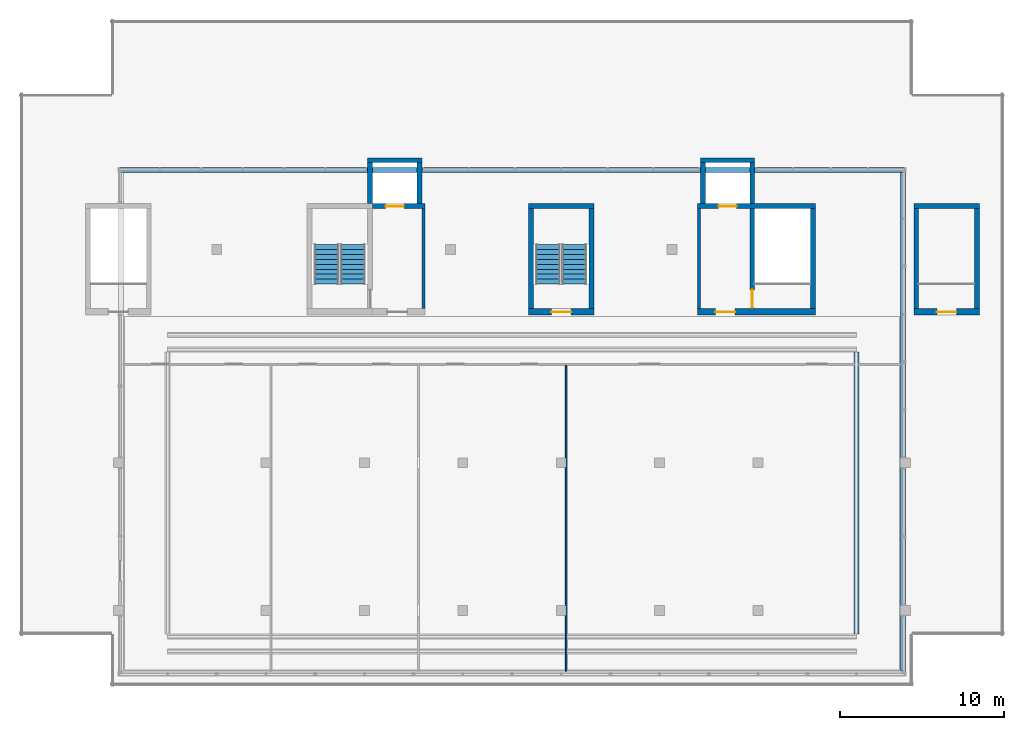
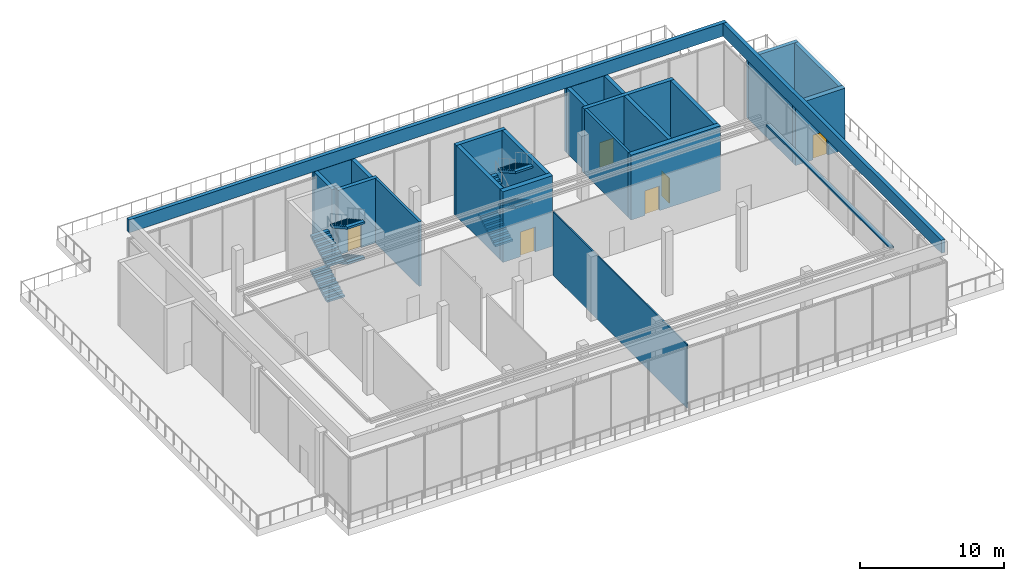
# One storey, part 8 of 11: 25 walls, 8 stair flights, 6 doors, 6 openings, 2 elements without a shape of their own.
"""IFC4 building model written with IfcOpenShell, lengths in metres."""

from ifc_helpers import new_model, si_unit, direction, frame, frame_2d, origin, place, context, subcontext, project, spatial, polyline, rectangle, outline, extrude, material, layer, layer_set, type_object, element, fill, aggregate, save


model = new_model("IFC4")

# Units and contexts
model_context = context("Model", 3, precision=1e-05, world=origin(), true_north=direction((0.0, 1.0)))
body_context = subcontext(model_context, "Body", "Model", "MODEL_VIEW")
ifc_project = project(units=[si_unit("LENGTHUNIT", "METRE"), si_unit("AREAUNIT", "SQUARE_METRE"), si_unit("VOLUMEUNIT", "CUBIC_METRE"), si_unit("PLANEANGLEUNIT", "RADIAN"), si_unit("MASSUNIT", "GRAM", prefix="KILO")], contexts=[model_context])

# Site, building, storey
site_placement = place(None, origin())
site = spatial("IfcSite", under=ifc_project, at=site_placement, CompositionType="ELEMENT")
building_placement = place(site_placement, origin())
building = spatial("IfcBuilding", under=site, at=building_placement, Name="Calvaro Tower", CompositionType="ELEMENT")
storey_placement = place(building_placement, frame((0.0, 0.0, 271.949951171875)))
storey = spatial("IfcBuildingStorey", under=building, at=storey_placement, Name="L68", CompositionType="ELEMENT", Elevation=271.949951171875)

# Walls
ifc_material_1 = material(Name="Concrete C40/50", Category="concrete")
ifc_layer_1 = layer(ifc_material_1, 0.300048828125)
ifc_layer_set_1 = layer_set([ifc_layer_1], Name="Concrete C40/50")
wall_type_1 = type_object("IfcWallType", Name="BMU rail plinth 300", PredefinedType="SOLIDWALL", material=ifc_layer_set_1)
wall_1_placement = place(storey_placement, frame((57.0, 8.550048828125, 6.0), z_axis=(0.0, 0.0, 1.0), x_axis=(0.0, 1.0, 0.0)))
element("IfcWall", 1, at=wall_1_placement, inside=storey, type_object=wall_type_1, Name="BMU rail plinth", PredefinedType="SOLIDWALL", context=body_context, shape_type="SweptSolid", body=[
    extrude(rectangle(XDim=17.199951171875, YDim=0.300048828125, at=frame_2d((8.60009765625, 0.0))), origin(), (0.0, 0.0, 1.0), 0.150146484375),
])
ifc_material_2 = material(Name="Blockwork partition", Category="masonry")
ifc_layer_2 = layer(ifc_material_2, 0.199951171875)
ifc_layer_set_2 = layer_set([ifc_layer_2], Name="Blockwork partition")
wall_type_2 = type_object("IfcWallType", Name="Core partition 200 REI 120", PredefinedType="PARTITIONING", material=ifc_layer_set_2)
for number, where, z_axis, x_axis, name in (
    (2, (30.60009765625, 28.39990234375, 0.0), (0.0, 0.0, 1.0), (0.0, 1.0, 0.0), "Core partition"),
    (3, (47.39990234375, 28.39990234375, 0.0), (0.0, 0.0, 1.0), (0.0, 1.0, 0.0), "Core partition"),
):
    element("IfcWall", number, at=place(storey_placement, frame(where, z_axis=z_axis, x_axis=x_axis)), inside=storey, type_object=wall_type_2, Name=name, PredefinedType="PARTITIONING", context=body_context, shape_type="SweptSolid", body=[
        extrude(rectangle(XDim=6.10009765625, YDim=0.199951171875, at=frame_2d((3.050048828125, 0.0))), origin(), (0.0, 0.0, 1.0), 5.5),
    ])

# Wall, opening, door
ifc_material_3 = material(Name="Concrete C40/50", Category="concrete")
ifc_layer_3 = layer(ifc_material_3, 0.300048828125)
ifc_layer_set_3 = layer_set([ifc_layer_3], Name="Concrete C40/50")
wall_type_3 = type_object("IfcWallType", Name="Core wall C40/50 300", PredefinedType="SHEAR", material=ifc_layer_set_3)
wall_2_placement = place(storey_placement, frame((27.5, 34.64990234375, 0.0), z_axis=(0.0, 0.0, 1.0), x_axis=(1.0, 0.0, 0.0)))
wall_2 = element("IfcWall", 4, at=wall_2_placement, inside=storey, type_object=wall_type_3, Name="Core wall, stair enclosure", PredefinedType="SHEAR", context=body_context, shape_type="SweptSolid", body=[
    extrude(rectangle(XDim=3.199951171875, YDim=0.300048828125, at=frame_2d((1.60009765625, 0.0))), origin(), (0.0, 0.0, 1.0), 5.5),
])
opening_1_placement = place(wall_2_placement, frame((0.800048828125, 0.0, 0.0)))
opening_1 = element("IfcOpeningElement", 5, at=opening_1_placement, cuts=wall_2, Name="Opening FF1", PredefinedType="OPENING", context=body_context, shape_type="SweptSolid", body=[
    extrude(rectangle(XDim=1.10009765625, YDim=2.10009765625, at=frame_2d((0.550048828125, 1.050048828125))), frame((0.0, 0.159912109375, 0.0), z_axis=(0.0, -1.0, 0.0), x_axis=(1.0, 0.0, 0.0)), (0.0, 0.0, 1.0), 0.320068359375),
])
ifc_material_4 = material(Name="Stainless steel", Category="steel")
door_type_1 = type_object("IfcDoorType", Name="Landing door 1100 E 60", OperationType="SLIDING_TO_LEFT", PredefinedType="DOOR", material=ifc_material_4)
door_1_placement = place(opening_1_placement, origin())
door_1 = element("IfcDoor", 6, at=door_1_placement, inside=storey, type_object=door_type_1, Name="Landing door FF1", OperationType="SLIDING_TO_LEFT", OverallHeight=2.10009765625, OverallWidth=1.10009765625, PredefinedType="DOOR", context=body_context, shape_type="SweptSolid", body=[
    extrude(rectangle(XDim=1.10009765625, YDim=2.10009765625, at=frame_2d((0.550048828125, 1.050048828125))), frame((0.0, 0.02490234375, 0.0), z_axis=(0.0, -1.0, 0.0), x_axis=(1.0, 0.0, 0.0)), (0.0, 0.0, 1.0), 0.050048828125),
])
fill(opening_1, door_1)

# Walls
for number, where, z_axis, x_axis, name in (
    (7, (37.14990234375, 28.39990234375, 0.0), (0.0, 0.0, 1.0), (0.0, 1.0, 0.0), "Core wall, stair enclosure"),
    (8, (40.85009765625, 28.39990234375, 0.0), (0.0, 0.0, 1.0), (0.0, 1.0, 0.0), "Core wall, stair enclosure"),
):
    element("IfcWall", number, at=place(storey_placement, frame(where, z_axis=z_axis, x_axis=x_axis)), inside=storey, type_object=wall_type_3, Name=name, PredefinedType="SHEAR", context=body_context, shape_type="SweptSolid", body=[
        extrude(rectangle(XDim=6.10009765625, YDim=0.300048828125, at=frame_2d((3.050048828125, 0.0))), origin(), (0.0, 0.0, 1.0), 6.0),
    ])
wall_3_placement = place(storey_placement, frame((37.0, 34.64990234375, 0.0), z_axis=(0.0, 0.0, 1.0), x_axis=(1.0, 0.0, 0.0)))
element("IfcWall", 9, at=wall_3_placement, inside=storey, type_object=wall_type_3, Name="Core wall, stair enclosure", PredefinedType="SHEAR", context=body_context, shape_type="SweptSolid", body=[
    extrude(rectangle(XDim=4.0, YDim=0.300048828125, at=frame_2d((2.0, 0.0))), origin(), (0.0, 0.0, 1.0), 6.0),
])

# Wall, opening, door
wall_4_placement = place(storey_placement, frame((50.64990234375, 34.5, 0.0), z_axis=(0.0, 0.0, 1.0), x_axis=(0.0, -1.0, 0.0)))
wall_4 = element("IfcWall", 10, at=wall_4_placement, inside=storey, type_object=wall_type_3, Name="Core wall, stair enclosure", PredefinedType="SHEAR", context=body_context, shape_type="SweptSolid", body=[
    extrude(rectangle(XDim=6.10009765625, YDim=0.300048828125, at=frame_2d((3.050048828125, 0.0))), origin(), (0.0, 0.0, 1.0), 5.5),
])
opening_2_placement = place(wall_4_placement, frame((4.949951171875, 0.0, 0.0)))
opening_2 = element("IfcOpeningElement", 11, at=opening_2_placement, cuts=wall_4, Name="Opening FD11D", PredefinedType="OPENING", context=body_context, shape_type="SweptSolid", body=[
    extrude(rectangle(XDim=1.10009765625, YDim=2.10009765625, at=frame_2d((0.550048828125, 1.050048828125))), frame((0.0, 0.159912109375, 0.0), z_axis=(0.0, -1.0, 0.0), x_axis=(1.0, 0.0, 0.0)), (0.0, 0.0, 1.0), 0.320068359375),
])
ifc_material_5 = material(Name="Steel door set", Category="steel")
door_type_2 = type_object("IfcDoorType", Name="Fire door 1100 FD30S", OperationType="SINGLE_SWING_LEFT", PredefinedType="DOOR", material=ifc_material_5)
door_2_placement = place(opening_2_placement, origin())
door_2 = element("IfcDoor", 12, at=door_2_placement, inside=storey, type_object=door_type_2, Name="Fire door", OperationType="SINGLE_SWING_RIGHT", OverallHeight=2.10009765625, OverallWidth=1.10009765625, PredefinedType="DOOR", context=body_context, shape_type="SweptSolid", body=[
    extrude(rectangle(XDim=1.10009765625, YDim=2.10009765625, at=frame_2d((0.550048828125, 1.050048828125))), frame((0.0, 0.02490234375, 0.0), z_axis=(0.0, -1.0, 0.0), x_axis=(1.0, 0.0, 0.0)), (0.0, 0.0, 1.0), 0.050048828125),
])
fill(opening_2, door_2)

# Wall
wall_5_placement = place(storey_placement, frame((54.35009765625, 28.39990234375, 0.0), z_axis=(0.0, 0.0, 1.0), x_axis=(0.0, 1.0, 0.0)))
element("IfcWall", 13, at=wall_5_placement, inside=storey, type_object=wall_type_3, Name="Core wall, stair enclosure", PredefinedType="SHEAR", context=body_context, shape_type="SweptSolid", body=[
    extrude(rectangle(XDim=6.10009765625, YDim=0.300048828125, at=frame_2d((3.050048828125, 0.0))), origin(), (0.0, 0.0, 1.0), 5.5),
])

# Wall, opening, door
wall_6_placement = place(storey_placement, frame((47.300048828125, 34.64990234375, 0.0), z_axis=(0.0, 0.0, 1.0), x_axis=(1.0, 0.0, 0.0)))
wall_6 = element("IfcWall", 14, at=wall_6_placement, inside=storey, type_object=wall_type_3, Name="Core wall, stair enclosure", PredefinedType="SHEAR", context=body_context, shape_type="SweptSolid", body=[
    extrude(rectangle(XDim=7.199951171875, YDim=0.300048828125, at=frame_2d((3.60009765625, 0.0))), origin(), (0.0, 0.0, 1.0), 5.5),
])
opening_3_placement = place(wall_6_placement, frame((1.300048828125, 0.0, 0.0)))
opening_3 = element("IfcOpeningElement", 15, at=opening_3_placement, cuts=wall_6, Name="Opening FF2", PredefinedType="OPENING", context=body_context, shape_type="SweptSolid", body=[
    extrude(rectangle(XDim=1.10009765625, YDim=2.10009765625, at=frame_2d((0.550048828125, 1.050048828125))), frame((0.0, 0.159912109375, 0.0), z_axis=(0.0, -1.0, 0.0), x_axis=(1.0, 0.0, 0.0)), (0.0, 0.0, 1.0), 0.320068359375),
])
door_3_placement = place(opening_3_placement, origin())
door_3 = element("IfcDoor", 16, at=door_3_placement, inside=storey, type_object=door_type_1, Name="Landing door FF2", OperationType="SLIDING_TO_LEFT", OverallHeight=2.10009765625, OverallWidth=1.10009765625, PredefinedType="DOOR", context=body_context, shape_type="SweptSolid", body=[
    extrude(rectangle(XDim=1.10009765625, YDim=2.10009765625, at=frame_2d((0.550048828125, 1.050048828125))), frame((0.0, 0.02490234375, 0.0), z_axis=(0.0, -1.0, 0.0), x_axis=(1.0, 0.0, 0.0)), (0.0, 0.0, 1.0), 0.050048828125),
])
fill(opening_3, door_3)

# Walls
for number, where, z_axis, x_axis, name in (
    (17, (60.64990234375, 28.39990234375, 0.0), (0.0, 0.0, 1.0), (0.0, 1.0, 0.0), "Core wall, stair enclosure"),
    (18, (64.35009765625, 28.39990234375, 0.0), (0.0, 0.0, 1.0), (0.0, 1.0, 0.0), "Core wall, stair enclosure"),
):
    element("IfcWall", number, at=place(storey_placement, frame(where, z_axis=z_axis, x_axis=x_axis)), inside=storey, type_object=wall_type_3, Name=name, PredefinedType="SHEAR", context=body_context, shape_type="SweptSolid", body=[
        extrude(rectangle(XDim=6.10009765625, YDim=0.300048828125, at=frame_2d((3.050048828125, 0.0))), origin(), (0.0, 0.0, 1.0), 5.199951171875),
    ])
wall_7_placement = place(storey_placement, frame((60.5, 34.64990234375, 0.0), z_axis=(0.0, 0.0, 1.0), x_axis=(1.0, 0.0, 0.0)))
element("IfcWall", 19, at=wall_7_placement, inside=storey, type_object=wall_type_3, Name="Core wall, stair enclosure", PredefinedType="SHEAR", context=body_context, shape_type="SweptSolid", body=[
    extrude(rectangle(XDim=4.0, YDim=0.300048828125, at=frame_2d((2.0, 0.0))), origin(), (0.0, 0.0, 1.0), 5.199951171875),
])
wall_8_placement = place(storey_placement, frame((27.199951171875, 37.449951171875, 0.0), z_axis=(0.0, 0.0, 1.0), x_axis=(1.0, 0.0, 0.0)))
element("IfcWall", 20, at=wall_8_placement, inside=storey, type_object=wall_type_3, Name="Core wall, lift shaft", PredefinedType="SHEAR", context=body_context, shape_type="SweptSolid", body=[
    extrude(rectangle(XDim=3.300048828125, YDim=0.300048828125, at=frame_2d((1.64990234375, 0.0))), origin(), (0.0, 0.0, 1.0), 5.5),
])
for number, where, z_axis, x_axis, name in (
    (21, (27.35009765625, 34.800048828125, 0.0), (0.0, 0.0, 1.0), (0.0, 1.0, 0.0), "Core wall, lift shaft"),
    (22, (30.35009765625, 34.800048828125, 0.0), (0.0, 0.0, 1.0), (0.0, 1.0, 0.0), "Core wall, lift shaft"),
):
    element("IfcWall", number, at=place(storey_placement, frame(where, z_axis=z_axis, x_axis=x_axis)), inside=storey, type_object=wall_type_3, Name=name, PredefinedType="SHEAR", context=body_context, shape_type="SweptSolid", body=[
        extrude(rectangle(XDim=2.5, YDim=0.300048828125, at=frame_2d((1.25, 0.0))), origin(), (0.0, 0.0, 1.0), 5.5),
    ])
wall_9_placement = place(storey_placement, frame((47.5, 37.449951171875, 0.0), z_axis=(0.0, 0.0, 1.0), x_axis=(1.0, 0.0, 0.0)))
element("IfcWall", 23, at=wall_9_placement, inside=storey, type_object=wall_type_3, Name="Core wall, lift shaft", PredefinedType="SHEAR", context=body_context, shape_type="SweptSolid", body=[
    extrude(rectangle(XDim=3.300048828125, YDim=0.300048828125, at=frame_2d((1.64990234375, 0.0))), origin(), (0.0, 0.0, 1.0), 5.5),
])
for number, where, z_axis, x_axis, name in (
    (24, (47.64990234375, 34.800048828125, 0.0), (0.0, 0.0, 1.0), (0.0, 1.0, 0.0), "Core wall, lift shaft"),
    (25, (50.64990234375, 34.800048828125, 0.0), (0.0, 0.0, 1.0), (0.0, 1.0, 0.0), "Core wall, lift shaft"),
):
    element("IfcWall", number, at=place(storey_placement, frame(where, z_axis=z_axis, x_axis=x_axis)), inside=storey, type_object=wall_type_3, Name=name, PredefinedType="SHEAR", context=body_context, shape_type="SweptSolid", body=[
        extrude(rectangle(XDim=2.5, YDim=0.300048828125, at=frame_2d((1.25, 0.0))), origin(), (0.0, 0.0, 1.0), 5.5),
    ])

# Wall, opening, door
ifc_material_6 = material(Name="Concrete C40/50", Category="concrete")
ifc_layer_4 = layer(ifc_material_6, 0.39990234375)
ifc_layer_set_4 = layer_set([ifc_layer_4], Name="Concrete C40/50")
wall_type_4 = type_object("IfcWallType", Name="Core wall C40/50 400", PredefinedType="SHEAR", material=ifc_layer_set_4)
wall_10_placement = place(storey_placement, frame((37.0, 28.199951171875, 0.0), z_axis=(0.0, 0.0, 1.0), x_axis=(1.0, 0.0, 0.0)))
wall_10 = element("IfcWall", 26, at=wall_10_placement, inside=storey, type_object=wall_type_4, Name="Core wall, front", PredefinedType="SHEAR", context=body_context, shape_type="SweptSolid", body=[
    extrude(rectangle(XDim=4.0, YDim=0.39990234375, at=frame_2d((2.0, 0.0))), origin(), (0.0, 0.0, 1.0), 6.0),
])
opening_4_placement = place(wall_10_placement, frame((1.39990234375, 0.0, 0.0)))
opening_4 = element("IfcOpeningElement", 27, at=opening_4_placement, cuts=wall_10, Name="Opening SD12D", PredefinedType="OPENING", context=body_context, shape_type="SweptSolid", body=[
    extrude(rectangle(XDim=1.199951171875, YDim=2.10009765625, at=frame_2d((0.60009765625, 1.050048828125))), frame((0.0, 0.2099609375, 0.0), z_axis=(0.0, -1.0, 0.0), x_axis=(1.0, 0.0, 0.0)), (0.0, 0.0, 1.0), 0.419921875),
])
ifc_material_7 = material(Name="Steel door set", Category="steel")
door_type_3 = type_object("IfcDoorType", Name="Stair door 1200 FD30S", OperationType="SINGLE_SWING_LEFT", PredefinedType="DOOR", material=ifc_material_7)
door_4_placement = place(opening_4_placement, origin())
door_4 = element("IfcDoor", 28, at=door_4_placement, inside=storey, type_object=door_type_3, Name="Stair door", OperationType="SINGLE_SWING_LEFT", OverallHeight=2.10009765625, OverallWidth=1.199951171875, PredefinedType="DOOR", context=body_context, shape_type="SweptSolid", body=[
    extrude(rectangle(XDim=1.199951171875, YDim=2.10009765625, at=frame_2d((0.60009765625, 1.050048828125))), frame((0.0, 0.02490234375, 0.0), z_axis=(0.0, -1.0, 0.0), x_axis=(1.0, 0.0, 0.0)), (0.0, 0.0, 1.0), 0.050048828125),
])
fill(opening_4, door_4)

wall_11_placement = place(storey_placement, frame((47.300048828125, 28.199951171875, 0.0), z_axis=(0.0, 0.0, 1.0), x_axis=(1.0, 0.0, 0.0)))
wall_11 = element("IfcWall", 29, at=wall_11_placement, inside=storey, type_object=wall_type_4, Name="Core wall, front", PredefinedType="SHEAR", context=body_context, shape_type="SweptSolid", body=[
    extrude(rectangle(XDim=7.199951171875, YDim=0.39990234375, at=frame_2d((3.60009765625, 0.0))), origin(), (0.0, 0.0, 1.0), 5.5),
])
opening_5_placement = place(wall_11_placement, frame((1.10009765625, 0.0, 0.0)))
opening_5 = element("IfcOpeningElement", 30, at=opening_5_placement, cuts=wall_11, Name="Opening FD12F", PredefinedType="OPENING", context=body_context, shape_type="SweptSolid", body=[
    extrude(rectangle(XDim=1.199951171875, YDim=2.10009765625, at=frame_2d((0.60009765625, 1.050048828125))), frame((0.0, 0.2099609375, 0.0), z_axis=(0.0, -1.0, 0.0), x_axis=(1.0, 0.0, 0.0)), (0.0, 0.0, 1.0), 0.419921875),
])
ifc_material_8 = material(Name="Steel door set", Category="steel")
door_type_4 = type_object("IfcDoorType", Name="Fire door 1200 FD60S", OperationType="SINGLE_SWING_LEFT", PredefinedType="DOOR", material=ifc_material_8)
door_5_placement = place(opening_5_placement, origin())
door_5 = element("IfcDoor", 31, at=door_5_placement, inside=storey, type_object=door_type_4, Name="Fire door", OperationType="SINGLE_SWING_LEFT", OverallHeight=2.10009765625, OverallWidth=1.199951171875, PredefinedType="DOOR", context=body_context, shape_type="SweptSolid", body=[
    extrude(rectangle(XDim=1.199951171875, YDim=2.10009765625, at=frame_2d((0.60009765625, 1.050048828125))), frame((0.0, 0.02490234375, 0.0), z_axis=(0.0, -1.0, 0.0), x_axis=(1.0, 0.0, 0.0)), (0.0, 0.0, 1.0), 0.050048828125),
])
fill(opening_5, door_5)

wall_12_placement = place(storey_placement, frame((60.5, 28.199951171875, 0.0), z_axis=(0.0, 0.0, 1.0), x_axis=(1.0, 0.0, 0.0)))
wall_12 = element("IfcWall", 32, at=wall_12_placement, inside=storey, type_object=wall_type_4, Name="Core wall, front", PredefinedType="SHEAR", context=body_context, shape_type="SweptSolid", body=[
    extrude(rectangle(XDim=4.0, YDim=0.39990234375, at=frame_2d((2.0, 0.0))), origin(), (0.0, 0.0, 1.0), 5.199951171875),
])
opening_6_placement = place(wall_12_placement, frame((1.39990234375, 0.0, 0.0)))
opening_6 = element("IfcOpeningElement", 33, at=opening_6_placement, cuts=wall_12, Name="Opening SD12D", PredefinedType="OPENING", context=body_context, shape_type="SweptSolid", body=[
    extrude(rectangle(XDim=1.199951171875, YDim=2.10009765625, at=frame_2d((0.60009765625, 1.050048828125))), frame((0.0, 0.2099609375, 0.0), z_axis=(0.0, -1.0, 0.0), x_axis=(1.0, 0.0, 0.0)), (0.0, 0.0, 1.0), 0.419921875),
])
door_6_placement = place(opening_6_placement, frame((1.199951171875, 0.0, 0.0), z_axis=(0.0, 0.0, 1.0), x_axis=(-1.0, 0.0, 0.0)))
door_6 = element("IfcDoor", 34, at=door_6_placement, inside=storey, type_object=door_type_3, Name="Stair door", OperationType="SINGLE_SWING_RIGHT", OverallHeight=2.10009765625, OverallWidth=1.199951171875, PredefinedType="DOOR", context=body_context, shape_type="SweptSolid", body=[
    extrude(rectangle(XDim=1.199951171875, YDim=2.10009765625, at=frame_2d((0.60009765625, 1.050048828125))), frame((0.0, 0.02490234375, 0.0), z_axis=(0.0, -1.0, 0.0), x_axis=(1.0, 0.0, 0.0)), (0.0, 0.0, 1.0), 0.050048828125),
])
fill(opening_6, door_6)

# Walls
ifc_material_9 = material(Name="Plasterboard on steel studs", Category="steel")
ifc_layer_5 = layer(ifc_material_9, 0.10009765625)
ifc_layer_set_5 = layer_set([ifc_layer_5], Name="Plasterboard on steel studs")
wall_type_5 = type_object("IfcWallType", Name="Partition 100 REI 120", PredefinedType="PARTITIONING", material=ifc_layer_set_5)
wall_13_placement = place(storey_placement, frame((39.300048828125, 6.300048828125, 0.0), z_axis=(0.0, 0.0, 1.0), x_axis=(0.0, 1.0, 0.0)))
element("IfcWall", 35, at=wall_13_placement, inside=storey, type_object=wall_type_5, Name="Partition T40.W006", PredefinedType="PARTITIONING", context=body_context, shape_type="SweptSolid", body=[
    extrude(rectangle(XDim=18.64990234375, YDim=0.10009765625, at=frame_2d((9.324951171875, 0.0))), origin(), (0.0, 0.0, 1.0), 5.400146484375),
])
ifc_material_10 = material(Name="Concrete C40/50", Category="concrete")
ifc_layer_6 = layer(ifc_material_10, 0.25, Name="Structure")
ifc_material_11 = material(Name="Reconstituted stone coping")
ifc_layer_7 = layer(ifc_material_11, 0.050048828125, Name="Finish")
ifc_layer_set_6 = layer_set([ifc_layer_6, ifc_layer_7], Name="Concrete C40/50")
wall_type_6 = type_object("IfcWallType", Name="Roof parapet 300", PredefinedType="PARAPET", material=ifc_layer_set_6)
wall_14_placement = place(storey_placement, frame((12.0, 36.85009765625, 6.0), z_axis=(0.0, 0.0, 1.0), x_axis=(1.0, 0.0, 0.0)))
element("IfcWall", 36, at=wall_14_placement, inside=storey, type_object=wall_type_6, Name="Roof parapet", PredefinedType="PARAPET", context=body_context, shape_type="SweptSolid", body=[
    extrude(rectangle(XDim=48.0, YDim=0.300048828125, at=frame_2d((24.0, 0.0))), origin(), (0.0, 0.0, 1.0), 1.10009765625),
])
wall_15_placement = place(storey_placement, frame((59.85009765625, 6.300048828125, 6.0), z_axis=(0.0, 0.0, 1.0), x_axis=(0.0, 1.0, 0.0)))
element("IfcWall", 37, at=wall_15_placement, inside=storey, type_object=wall_type_6, Name="Roof parapet", PredefinedType="PARAPET", context=body_context, shape_type="SweptSolid", body=[
    extrude(rectangle(XDim=30.39990234375, YDim=0.300048828125, at=frame_2d((15.199951171875, 0.0))), origin(), (0.0, 0.0, 1.0), 1.10009765625),
])

# Stair, stair flights
ifc_material_12 = material(Name="Concrete C40/50", Category="concrete")
stair_type = type_object("IfcStairType", Name="Exit stair 1400 4 flights", PredefinedType="DOUBLE_RETURN_STAIR", material=ifc_material_12)
stair_1_placement = place(storey_placement, origin())
stair_1 = element("IfcStair", 38, at=stair_1_placement, inside=storey, type_object=stair_type, Name="Exit stair S2", PredefinedType="DOUBLE_RETURN_STAIR")
ifc_material_13 = material(Name="Concrete C40/50", Category="concrete")
stair_flight_type = type_object("IfcStairFlightType", Name="Stair flight", PredefinedType="STRAIGHT", material=ifc_material_13)
stair_flight_1_placement = place(storey_placement, frame((24.699951171875, 29.89990234375, 0.0), z_axis=(0.0, 0.0, 1.0), x_axis=(0.0, 1.0, 0.0)))
stair_flight_1 = element("IfcStairFlight", 39, at=stair_flight_1_placement, type_object=stair_flight_type, Name="Exit stair 2, flight 1", NumberOfRisers=9, NumberOfTreads=8, PredefinedType="STRAIGHT", RiserHeight=0.166666667, TreadLength=0.3, context=body_context, shape_type="SweptSolid", body=[
    extrude(outline(polyline([(0.0, 0.0), (0.0, 0.166748046875), (0.300048828125, 0.166748046875), (0.300048828125, 0.333251953125), (0.60009765625, 0.333251953125), (0.60009765625, 0.5), (0.89990234375, 0.5), (0.89990234375, 0.666748046875), (1.199951171875, 0.666748046875), (1.199951171875, 0.833251953125), (1.5, 0.833251953125), (1.5, 1.0), (1.800048828125, 1.0), (1.800048828125, 1.166748046875), (2.10009765625, 1.166748046875), (2.10009765625, 1.333251953125), (2.39990234375, 1.333251953125), (2.39990234375, 1.5), (2.39990234375, 1.161865234375), (0.30859375, 0.0), (0.0, 0.0)])), frame((0.0, 0.699951171875, 0.0), z_axis=(0.0, -1.0, 0.0), x_axis=(1.0, 0.0, 0.0)), (0.0, 0.0, 1.0), 1.39990234375),
])
stair_flight_2_placement = place(storey_placement, frame((26.300048828125, 32.300048828125, 1.5), z_axis=(0.0, 0.0, 1.0), x_axis=(0.0, -1.0, 0.0)))
stair_flight_2 = element("IfcStairFlight", 40, at=stair_flight_2_placement, type_object=stair_flight_type, Name="Exit stair 2, flight 2", NumberOfRisers=9, NumberOfTreads=8, PredefinedType="STRAIGHT", RiserHeight=0.166666667, TreadLength=0.3, context=body_context, shape_type="SweptSolid", body=[
    extrude(outline(polyline([(0.0, 0.0), (0.0, 0.166748046875), (0.300048828125, 0.166748046875), (0.300048828125, 0.333251953125), (0.60009765625, 0.333251953125), (0.60009765625, 0.5), (0.89990234375, 0.5), (0.89990234375, 0.666748046875), (1.199951171875, 0.666748046875), (1.199951171875, 0.833251953125), (1.5, 0.833251953125), (1.5, 1.0), (1.800048828125, 1.0), (1.800048828125, 1.166748046875), (2.10009765625, 1.166748046875), (2.10009765625, 1.333251953125), (2.39990234375, 1.333251953125), (2.39990234375, 1.5), (2.39990234375, 1.161865234375), (0.30859375, 0.0), (0.0, 0.0)])), frame((0.0, 0.699951171875, 0.0), z_axis=(0.0, -1.0, 0.0), x_axis=(1.0, 0.0, 0.0)), (0.0, 0.0, 1.0), 1.39990234375),
])
stair_flight_3_placement = place(storey_placement, frame((24.699951171875, 29.89990234375, 3.0), z_axis=(0.0, 0.0, 1.0), x_axis=(0.0, 1.0, 0.0)))
stair_flight_3 = element("IfcStairFlight", 41, at=stair_flight_3_placement, type_object=stair_flight_type, Name="Exit stair 2, flight 3", NumberOfRisers=9, NumberOfTreads=8, PredefinedType="STRAIGHT", RiserHeight=0.166666667, TreadLength=0.3, context=body_context, shape_type="SweptSolid", body=[
    extrude(outline(polyline([(0.0, 0.0), (0.0, 0.166748046875), (0.300048828125, 0.166748046875), (0.300048828125, 0.333251953125), (0.60009765625, 0.333251953125), (0.60009765625, 0.5), (0.89990234375, 0.5), (0.89990234375, 0.666748046875), (1.199951171875, 0.666748046875), (1.199951171875, 0.833251953125), (1.5, 0.833251953125), (1.5, 1.0), (1.800048828125, 1.0), (1.800048828125, 1.166748046875), (2.10009765625, 1.166748046875), (2.10009765625, 1.333251953125), (2.39990234375, 1.333251953125), (2.39990234375, 1.5), (2.39990234375, 1.161865234375), (0.30859375, 0.0), (0.0, 0.0)])), frame((0.0, 0.699951171875, 0.0), z_axis=(0.0, -1.0, 0.0), x_axis=(1.0, 0.0, 0.0)), (0.0, 0.0, 1.0), 1.39990234375),
])
stair_flight_4_placement = place(storey_placement, frame((26.300048828125, 32.300048828125, 4.5), z_axis=(0.0, 0.0, 1.0), x_axis=(0.0, -1.0, 0.0)))
stair_flight_4 = element("IfcStairFlight", 42, at=stair_flight_4_placement, type_object=stair_flight_type, Name="Exit stair 2, flight 4", NumberOfRisers=9, NumberOfTreads=8, PredefinedType="STRAIGHT", RiserHeight=0.166666667, TreadLength=0.3, context=body_context, shape_type="SweptSolid", body=[
    extrude(outline(polyline([(0.0, 0.0), (0.0, 0.166748046875), (0.300048828125, 0.166748046875), (0.300048828125, 0.333251953125), (0.60009765625, 0.333251953125), (0.60009765625, 0.5), (0.89990234375, 0.5), (0.89990234375, 0.666748046875), (1.199951171875, 0.666748046875), (1.199951171875, 0.833251953125), (1.5, 0.833251953125), (1.5, 1.0), (1.800048828125, 1.0), (1.800048828125, 1.166748046875), (2.10009765625, 1.166748046875), (2.10009765625, 1.333251953125), (2.39990234375, 1.333251953125), (2.39990234375, 1.5), (2.39990234375, 1.161865234375), (0.30859375, 0.0), (0.0, 0.0)])), frame((0.0, 0.699951171875, 0.0), z_axis=(0.0, -1.0, 0.0), x_axis=(1.0, 0.0, 0.0)), (0.0, 0.0, 1.0), 1.39990234375),
])
aggregate(stair_1, [stair_flight_1, stair_flight_2, stair_flight_3, stair_flight_4])

stair_2_placement = place(storey_placement, origin())
stair_2 = element("IfcStair", 43, at=stair_2_placement, inside=storey, type_object=stair_type, Name="Exit stair S3", PredefinedType="DOUBLE_RETURN_STAIR")
stair_flight_5_placement = place(storey_placement, frame((38.199951171875, 29.89990234375, 0.0), z_axis=(0.0, 0.0, 1.0), x_axis=(0.0, 1.0, 0.0)))
stair_flight_5 = element("IfcStairFlight", 44, at=stair_flight_5_placement, type_object=stair_flight_type, Name="Exit stair 3, flight 1", NumberOfRisers=9, NumberOfTreads=8, PredefinedType="STRAIGHT", RiserHeight=0.166666667, TreadLength=0.3, context=body_context, shape_type="SweptSolid", body=[
    extrude(outline(polyline([(0.0, 0.0), (0.0, 0.166748046875), (0.300048828125, 0.166748046875), (0.300048828125, 0.333251953125), (0.60009765625, 0.333251953125), (0.60009765625, 0.5), (0.89990234375, 0.5), (0.89990234375, 0.666748046875), (1.199951171875, 0.666748046875), (1.199951171875, 0.833251953125), (1.5, 0.833251953125), (1.5, 1.0), (1.800048828125, 1.0), (1.800048828125, 1.166748046875), (2.10009765625, 1.166748046875), (2.10009765625, 1.333251953125), (2.39990234375, 1.333251953125), (2.39990234375, 1.5), (2.39990234375, 1.161865234375), (0.30859375, 0.0), (0.0, 0.0)])), frame((0.0, 0.699951171875, 0.0), z_axis=(0.0, -1.0, 0.0), x_axis=(1.0, 0.0, 0.0)), (0.0, 0.0, 1.0), 1.39990234375),
])
stair_flight_6_placement = place(storey_placement, frame((39.800048828125, 32.300048828125, 1.5), z_axis=(0.0, 0.0, 1.0), x_axis=(0.0, -1.0, 0.0)))
stair_flight_6 = element("IfcStairFlight", 45, at=stair_flight_6_placement, type_object=stair_flight_type, Name="Exit stair 3, flight 2", NumberOfRisers=9, NumberOfTreads=8, PredefinedType="STRAIGHT", RiserHeight=0.166666667, TreadLength=0.3, context=body_context, shape_type="SweptSolid", body=[
    extrude(outline(polyline([(0.0, 0.0), (0.0, 0.166748046875), (0.300048828125, 0.166748046875), (0.300048828125, 0.333251953125), (0.60009765625, 0.333251953125), (0.60009765625, 0.5), (0.89990234375, 0.5), (0.89990234375, 0.666748046875), (1.199951171875, 0.666748046875), (1.199951171875, 0.833251953125), (1.5, 0.833251953125), (1.5, 1.0), (1.800048828125, 1.0), (1.800048828125, 1.166748046875), (2.10009765625, 1.166748046875), (2.10009765625, 1.333251953125), (2.39990234375, 1.333251953125), (2.39990234375, 1.5), (2.39990234375, 1.161865234375), (0.30859375, 0.0), (0.0, 0.0)])), frame((0.0, 0.699951171875, 0.0), z_axis=(0.0, -1.0, 0.0), x_axis=(1.0, 0.0, 0.0)), (0.0, 0.0, 1.0), 1.39990234375),
])
stair_flight_7_placement = place(storey_placement, frame((38.199951171875, 29.89990234375, 3.0), z_axis=(0.0, 0.0, 1.0), x_axis=(0.0, 1.0, 0.0)))
stair_flight_7 = element("IfcStairFlight", 46, at=stair_flight_7_placement, type_object=stair_flight_type, Name="Exit stair 3, flight 3", NumberOfRisers=9, NumberOfTreads=8, PredefinedType="STRAIGHT", RiserHeight=0.166666667, TreadLength=0.3, context=body_context, shape_type="SweptSolid", body=[
    extrude(outline(polyline([(0.0, 0.0), (0.0, 0.166748046875), (0.300048828125, 0.166748046875), (0.300048828125, 0.333251953125), (0.60009765625, 0.333251953125), (0.60009765625, 0.5), (0.89990234375, 0.5), (0.89990234375, 0.666748046875), (1.199951171875, 0.666748046875), (1.199951171875, 0.833251953125), (1.5, 0.833251953125), (1.5, 1.0), (1.800048828125, 1.0), (1.800048828125, 1.166748046875), (2.10009765625, 1.166748046875), (2.10009765625, 1.333251953125), (2.39990234375, 1.333251953125), (2.39990234375, 1.5), (2.39990234375, 1.161865234375), (0.30859375, 0.0), (0.0, 0.0)])), frame((0.0, 0.699951171875, 0.0), z_axis=(0.0, -1.0, 0.0), x_axis=(1.0, 0.0, 0.0)), (0.0, 0.0, 1.0), 1.39990234375),
])
stair_flight_8_placement = place(storey_placement, frame((39.800048828125, 32.300048828125, 4.5), z_axis=(0.0, 0.0, 1.0), x_axis=(0.0, -1.0, 0.0)))
stair_flight_8 = element("IfcStairFlight", 47, at=stair_flight_8_placement, type_object=stair_flight_type, Name="Exit stair 3, flight 4", NumberOfRisers=9, NumberOfTreads=8, PredefinedType="STRAIGHT", RiserHeight=0.166666667, TreadLength=0.3, context=body_context, shape_type="SweptSolid", body=[
    extrude(outline(polyline([(0.0, 0.0), (0.0, 0.166748046875), (0.300048828125, 0.166748046875), (0.300048828125, 0.333251953125), (0.60009765625, 0.333251953125), (0.60009765625, 0.5), (0.89990234375, 0.5), (0.89990234375, 0.666748046875), (1.199951171875, 0.666748046875), (1.199951171875, 0.833251953125), (1.5, 0.833251953125), (1.5, 1.0), (1.800048828125, 1.0), (1.800048828125, 1.166748046875), (2.10009765625, 1.166748046875), (2.10009765625, 1.333251953125), (2.39990234375, 1.333251953125), (2.39990234375, 1.5), (2.39990234375, 1.161865234375), (0.30859375, 0.0), (0.0, 0.0)])), frame((0.0, 0.699951171875, 0.0), z_axis=(0.0, -1.0, 0.0), x_axis=(1.0, 0.0, 0.0)), (0.0, 0.0, 1.0), 1.39990234375),
])
aggregate(stair_2, [stair_flight_5, stair_flight_6, stair_flight_7, stair_flight_8])

save(model, "model.ifc")
